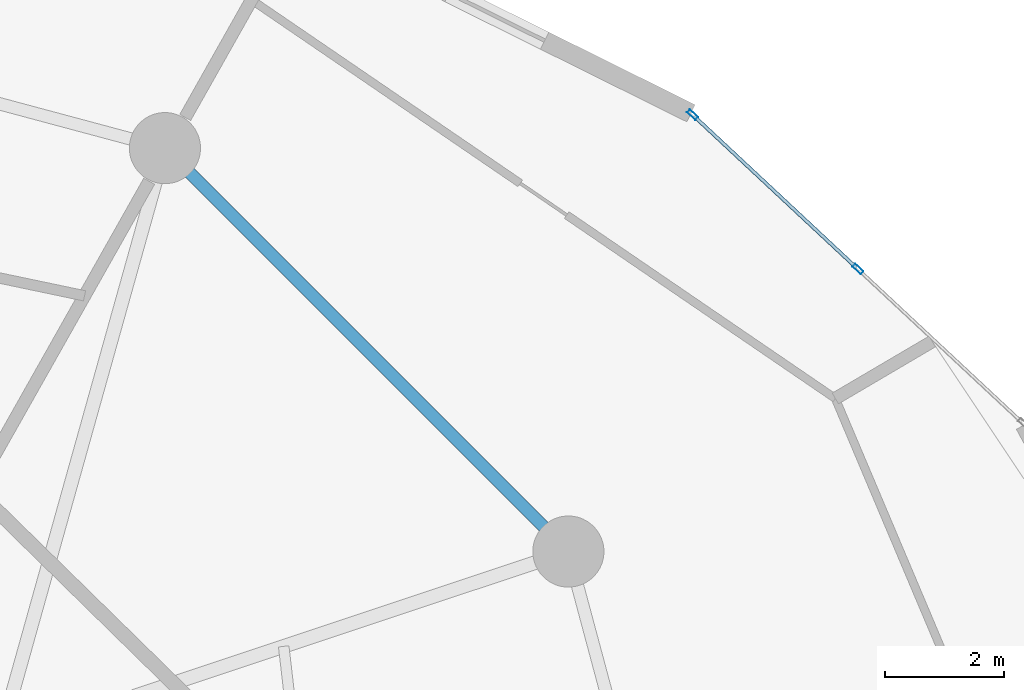
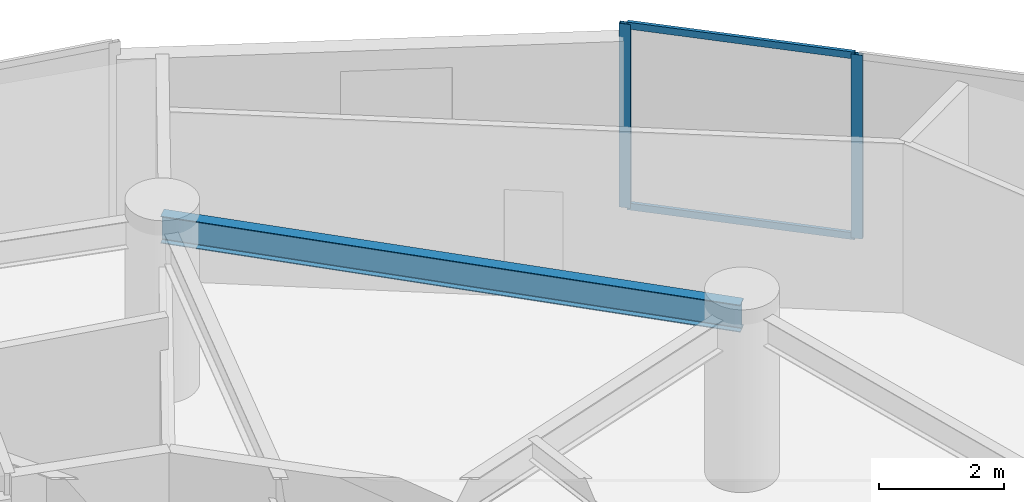
# One storey, part 16 of 26: 4 members, 1 beam, 1 element without a shape of its own.
"""IFC4 building model written with IfcOpenShell, lengths in metres."""

import ifcopenshell
import ifcopenshell.guid

model = None  # the IFC model being written
_history = None  # IfcOwnerHistory: only IFC2X3 demands one
_inside = {}  # id of a spatial element -> (the spatial element, [elements in it])
_under = {}  # id of a project, library or spatial element -> (it, [spatial elements below it])
_declared = {}  # id of a project -> (the project, [libraries it declares])
_typed = {}  # id of a type object -> (the type object, [elements of that type])
_made_of = {}  # id of a material, layer set ... -> (it, [elements and type objects made of it])


def new_model(schema):
    """Start an empty IFC model of exactly this schema.

    Asked for "IFC4X3", IfcOpenShell would pick the latest addendum, in which some entities
    have other attributes; the version numbers below select the first issue.
    IFC2X3 requires an IfcOwnerHistory on every rooted entity: one is made here for all.
    """
    global model, _history
    if schema == "IFC4X3":
        model = ifcopenshell.file(schema_version=(4, 3, 0, 0))
    else:
        model = ifcopenshell.file(schema=schema)
    _inside.clear()
    _under.clear()
    _declared.clear()
    _typed.clear()
    _made_of.clear()
    _history = None
    if model.schema == "IFC2X3":
        org = make("IfcOrganization", Name="unknown")
        user = make(
            "IfcPersonAndOrganization",
            ThePerson=make("IfcPerson", FamilyName="unknown"),
            TheOrganization=org,
        )
        app = make(
            "IfcApplication",
            ApplicationDeveloper=org,
            Version="unknown",
            ApplicationFullName="unknown",
            ApplicationIdentifier="unknown",
        )
        _history = make(
            "IfcOwnerHistory",
            OwningUser=user,
            OwningApplication=app,
            ChangeAction="ADDED",
            CreationDate=0,
        )
    return model


def make(cls, **values):
    """One entity of the class cls with the attributes given. An attribute that is None is left unset."""
    return model.create_entity(
        cls, **{name: value for name, value in values.items() if value is not None}
    )


def rooted(cls, **values):
    """An entity with a GlobalId (a new one), such as an element, a storey or a relation."""
    return make(cls, GlobalId=ifcopenshell.guid.new(), OwnerHistory=_history, **values)


def si_unit(unit_type, name, prefix=None):
    """IfcSIUnit, for example si_unit("LENGTHUNIT", "METRE", prefix="MILLI")."""
    return make("IfcSIUnit", UnitType=unit_type, Prefix=prefix, Name=name)


def assignment(units):
    """IfcUnitAssignment: the units of a project."""
    return None if units is None else make("IfcUnitAssignment", Units=units)


def point(xyz):
    """IfcCartesianPoint."""
    return None if xyz is None else make("IfcCartesianPoint", Coordinates=xyz)


def direction(xyz):
    """IfcDirection."""
    return None if xyz is None else make("IfcDirection", DirectionRatios=xyz)


def frame(location, z_axis=None, x_axis=None):
    """IfcAxis2Placement3D, a coordinate frame: its origin and axes. An axis left out is left unset."""
    return make(
        "IfcAxis2Placement3D",
        Location=point(location),
        Axis=direction(z_axis),
        RefDirection=direction(x_axis),
    )


def frame_2d(location, x_axis=None):
    """IfcAxis2Placement2D, a coordinate frame in the plane: its origin and x axis."""
    return make(
        "IfcAxis2Placement2D", Location=point(location), RefDirection=direction(x_axis)
    )


def origin():
    """The frame at (0, 0, 0) with its axes left unset."""
    return frame((0.0, 0.0, 0.0))


def origin_2d():
    """The frame at (0, 0) in the plane with its x axis left unset."""
    return frame_2d((0.0, 0.0))


def place(relative_to, where):
    """IfcLocalPlacement: puts the frame where relative to a parent placement (None: the world)."""
    return make(
        "IfcLocalPlacement", PlacementRelTo=relative_to, RelativePlacement=where
    )


def context(
    kind, dimensions, precision=None, world=None, true_north=None, identifier=None
):
    """IfcGeometricRepresentationContext, for example the 3D "Model" context."""
    return make(
        "IfcGeometricRepresentationContext",
        ContextIdentifier=identifier,
        ContextType=kind,
        CoordinateSpaceDimension=dimensions,
        Precision=precision,
        WorldCoordinateSystem=world,
        TrueNorth=true_north,
    )


def subcontext(parent, identifier, kind, view, scale=None):
    """IfcGeometricRepresentationSubContext, for example "Body" below "Model"."""
    return make(
        "IfcGeometricRepresentationSubContext",
        ContextIdentifier=identifier,
        ContextType=kind,
        ParentContext=parent,
        TargetScale=scale,
        TargetView=view,
    )


def project(units=None, contexts=None):
    """IfcProject with its units and contexts."""
    return rooted(
        "IfcProject",
        Name="project",
        RepresentationContexts=contexts,
        UnitsInContext=assignment(units),
    )


def spatial(cls, under=None, at=None, **own):
    """A site, building, storey or space (cls), placed at a placement, below another one or the project."""
    s = rooted(cls, ObjectPlacement=at, **own)
    if under is not None:
        _under.setdefault(under.id(), (under, []))[1].append(s)
    return s


def profile(cls, at=None, kind="AREA", **sizes):
    """A parametric profile (cls). Its sizes go by their IFC names, for example OverallWidth=200.0."""
    return make(cls, ProfileType=kind, Position=at, **sizes)


def hollow_rectangle(**sizes):
    """IfcRectangleHollowProfileDef."""
    return profile("IfcRectangleHollowProfileDef", **sizes)


def i_section(**sizes):
    """IfcIShapeProfileDef."""
    return profile("IfcIShapeProfileDef", **sizes)


def extrude(swept, where, along, depth):
    """IfcExtrudedAreaSolid: the profile swept, set in the frame where, extruded along a direction by depth."""
    return make(
        "IfcExtrudedAreaSolid",
        SweptArea=swept,
        Position=where,
        ExtrudedDirection=direction(along),
        Depth=depth,
    )


def shape(context_of_items, identifier, shape_type, items):
    """IfcShapeRepresentation: the items that make up one representation, for example the "Body"."""
    return make(
        "IfcShapeRepresentation",
        ContextOfItems=context_of_items,
        RepresentationIdentifier=identifier,
        RepresentationType=shape_type,
        Items=items,
    )


def source(mapping_origin, context_of_items, identifier, shape_type, items):
    """IfcRepresentationMap: a shape defined once, which mapped items show again and again."""
    return make(
        "IfcRepresentationMap",
        MappingOrigin=mapping_origin,
        MappedRepresentation=shape(context_of_items, identifier, shape_type, items),
    )


def transform(
    local_origin,
    x_axis=None,
    y_axis=None,
    z_axis=None,
    scale=None,
    scale2=None,
    scale3=None,
    uniform=True,
):
    """IfcCartesianTransformationOperator3D, or its non-uniform kind. x_axis, y_axis, z_axis: its Axis1, 2, 3."""
    if uniform:
        return make(
            "IfcCartesianTransformationOperator3D",
            Axis1=direction(x_axis),
            Axis2=direction(y_axis),
            LocalOrigin=point(local_origin),
            Scale=scale,
            Axis3=direction(z_axis),
        )
    return make(
        "IfcCartesianTransformationOperator3DnonUniform",
        Axis1=direction(x_axis),
        Axis2=direction(y_axis),
        LocalOrigin=point(local_origin),
        Scale=scale,
        Axis3=direction(z_axis),
        Scale2=scale2,
        Scale3=scale3,
    )


def mapped(mapping_source, mapping_target):
    """IfcMappedItem: shows the shape of a source again, moved by a transform."""
    return make(
        "IfcMappedItem", MappingSource=mapping_source, MappingTarget=mapping_target
    )


def material(Name=None, Category=None):
    """IfcMaterial."""
    return make("IfcMaterial", Name=Name, Category=Category)


def layer(
    of_material, thickness, ventilated=None, Name=None, Category=None, Priority=None
):
    """IfcMaterialLayer: one layer of a wall or slab, of a material (None: an air gap)."""
    return make(
        "IfcMaterialLayer",
        Material=of_material,
        LayerThickness=thickness,
        IsVentilated=ventilated,
        Name=Name,
        Category=Category,
        Priority=Priority,
    )


def layer_set(layers, Name=None):
    """IfcMaterialLayerSet."""
    return make("IfcMaterialLayerSet", MaterialLayers=layers, LayerSetName=Name)


def material_profile(
    of_material, cross_section, Name=None, Category=None, Priority=None
):
    """IfcMaterialProfile: a cross section and its material."""
    return make(
        "IfcMaterialProfile",
        Name=Name,
        Material=of_material,
        Profile=cross_section,
        Priority=Priority,
        Category=Category,
    )


def profile_set(profiles, Name=None, composite=None):
    """IfcMaterialProfileSet."""
    return make(
        "IfcMaterialProfileSet",
        Name=Name,
        MaterialProfiles=profiles,
        CompositeProfile=composite,
    )


def made_of(thing, what):
    """Note that an element or type object is made of a material, layer set ...; save() writes the relation."""
    if what is not None:
        _made_of.setdefault(what.id(), (what, []))[1].append(thing)
    return thing


def type_object(cls, material=None, **own):
    """A type object (cls), such as IfcWallType, which elements share."""
    return made_of(rooted(cls, **own), material)


def element(
    cls,
    number,
    at=None,
    inside=None,
    cuts=None,
    type_object=None,
    material=None,
    context=None,
    identifier="Body",
    shape_type=None,
    held_by="IfcProductDefinitionShape",
    body=None,
    shapes=None,
    **own,
):
    """One element of the class cls, such as IfcWall. Its Tag is "e" and its number.

    at: its placement. inside: the storey or other place that contains it. cuts: it is an
    opening in that element (IfcRelVoidsElement). A single representation is given by context,
    identifier, shape_type and body (its items); several are given by shapes. held_by: the class
    of the entity that holds the representations. save() writes the other relations.
    """
    e = rooted(cls, Tag="e%d" % number, ObjectPlacement=at, **own)
    if body is not None:
        shapes = [shape(context, identifier, shape_type, body)]
    if shapes is not None:
        e.Representation = make(held_by, Representations=shapes)
    if inside is not None:
        _inside.setdefault(inside.id(), (inside, []))[1].append(e)
    if cuts is not None:
        rooted(
            "IfcRelVoidsElement", RelatingBuildingElement=cuts, RelatedOpeningElement=e
        )
    if type_object is not None:
        _typed.setdefault(type_object.id(), (type_object, []))[1].append(e)
    return made_of(e, material)


def aggregate(whole, parts):
    """IfcRelAggregates: a whole, such as a stair, and the parts it consists of."""
    return rooted("IfcRelAggregates", RelatingObject=whole, RelatedObjects=parts)


def save(model, path):
    """Write the relations noted so far, then the file.

    IfcRelAggregates (storeys below a building ...), IfcRelContainedInSpatialStructure (elements
    in a storey), IfcRelDefinesByType, IfcRelAssociatesMaterial and IfcRelDeclares: one each for
    every whole, place, type object, material and project.
    """
    for whole, parts in _under.values():
        aggregate(whole, parts)
    for where, things in _inside.values():
        rooted(
            "IfcRelContainedInSpatialStructure",
            RelatedElements=things,
            RelatingStructure=where,
        )
    for kind, things in _typed.values():
        rooted("IfcRelDefinesByType", RelatedObjects=things, RelatingType=kind)
    for what, things in _made_of.values():
        rooted("IfcRelAssociatesMaterial", RelatedObjects=things, RelatingMaterial=what)
    for by, libraries in _declared.values():
        rooted("IfcRelDeclares", RelatingContext=by, RelatedDefinitions=libraries)
    model.write(path)


model = new_model("IFC4")

# Units and contexts
model_context = context("Model", 3, precision=1e-05, world=origin(), true_north=direction((0.0, 1.0)))
body_context = subcontext(model_context, "Body", "Model", "MODEL_VIEW")
ifc_project = project(units=[si_unit("LENGTHUNIT", "METRE"), si_unit("AREAUNIT", "SQUARE_METRE"), si_unit("VOLUMEUNIT", "CUBIC_METRE"), si_unit("PLANEANGLEUNIT", "RADIAN"), si_unit("MASSUNIT", "GRAM", prefix="KILO")], contexts=[model_context])

# Site, building, storey
site_placement = place(None, origin())
site = spatial("IfcSite", under=ifc_project, at=site_placement, CompositionType="ELEMENT")
building_placement = place(site_placement, origin())
building = spatial("IfcBuilding", under=site, at=building_placement, Name="Solvirekh Grand Hotel", CompositionType="ELEMENT")
storey_placement = place(building_placement, frame((0.0, 0.0, 32.0)))
storey = spatial("IfcBuildingStorey", under=building, at=storey_placement, Name="L06", CompositionType="ELEMENT", Elevation=32.0)

# Beam
ifc_material_1 = material(Name="Steel S355", Category="steel")
ifc_material_profile_1 = material_profile(ifc_material_1, i_section(OverallWidth=0.208984375, OverallDepth=0.532958984375, WebThickness=0.010009765625, FlangeThickness=0.014892578125, FilletRadius=0.013916015625, at=origin_2d()), Name="W530X92")
ifc_profile_set_1 = profile_set([ifc_material_profile_1], Name="Steel S355")
beam_type = type_object("IfcBeamType", Name="Spandrel_Ring_W530", PredefinedType="SPANDREL", material=ifc_profile_set_1)
beam_placement = place(storey_placement, frame((16.10791015625, 9.300048828125, 3.073974609375), z_axis=(-0.707106781187, 0.707106781187, 0.0), x_axis=(-0.707106781187, -0.707106781187, 0.0)))
element("IfcBeam", 1, at=beam_placement, inside=storey, type_object=beam_type, Name="L06 perimeter spandrel beam 2", PredefinedType="SPANDREL", context=body_context, shape_type="SweptSolid", body=[
    extrude(i_section(OverallWidth=0.208984375, OverallDepth=0.532958984375, WebThickness=0.010009765625, FlangeThickness=0.014892578125, FilletRadius=0.013916015625, at=origin_2d()), origin(), (0.0, 0.0, 1.0), 9.627685546875),
])

# Curtain wall, members
ifc_material_2 = material(Name="Anodized Bronze Aluminium 6063-T6", Category="aluminium")
ifc_layer = layer(ifc_material_2, 0.18994140625)
ifc_layer_set = layer_set([ifc_layer], Name="Anodized Bronze Aluminium 6063-T6")
curtain_wall_type = type_object("IfcCurtainWallType", Name="CW_Sys2_LowZoneFlushBronzeCW", PredefinedType="NOTDEFINED", material=ifc_layer_set)
curtain_wall_placement = place(storey_placement, origin())
curtain_wall = element("IfcCurtainWall", 2, at=curtain_wall_placement, inside=storey, type_object=curtain_wall_type, Name="L06 unitised bronze-glass curtain wall CW-L06-C03", PredefinedType="NOTDEFINED")
ifc_material_profile_2 = material_profile(ifc_material_2, hollow_rectangle(XDim=0.070068359375, YDim=0.18994140625, WallThickness=0.0048828125, at=origin_2d()), Name="ALU RHS 190X70X5")
ifc_profile_set_2 = profile_set([ifc_material_profile_2], Name="Anodized Bronze Aluminium 6063-T6")
member_type_1 = type_object("IfcMemberType", Name="CWMullion_Sys2", PredefinedType="MULLION", material=ifc_profile_set_2)
shared_shape_1 = source(origin(), body_context, "Body", "SweptSolid", [
    extrude(hollow_rectangle(XDim=0.070068359375, YDim=0.18994140625, WallThickness=0.0048828125, at=origin_2d()), origin(), (0.0, 0.0, 1.0), 3.60009765625),
])
member_1_placement = place(storey_placement, frame((20.993408203125, 14.0673828125, 0.0), z_axis=(0.0, 0.0, 1.0), x_axis=(-0.682285880223, -0.73108547903, 0.0)))
member_1 = element("IfcMember", 3, at=member_1_placement, type_object=member_type_1, Name="U02 mullion 2", PredefinedType="MULLION", context=body_context, shape_type="MappedRepresentation", body=[
    mapped(shared_shape_1, transform((0.0, 0.0, 0.0), x_axis=(1.0, 0.0, 0.0), y_axis=(0.0, 1.0, 0.0), z_axis=(0.0, 0.0, 1.0), scale=1.0)),
])
member_2_placement = place(storey_placement, frame((18.20263671875, 16.672119140625, 0.0), z_axis=(0.0, 0.0, 1.0), x_axis=(-0.682285880223, -0.73108547903, 0.0)))
member_2 = element("IfcMember", 4, at=member_2_placement, type_object=member_type_1, Name="U02 mullion 3", PredefinedType="MULLION", context=body_context, shape_type="MappedRepresentation", body=[
    mapped(shared_shape_1, transform((0.0, 0.0, 0.0), x_axis=(1.0, 0.0, 0.0), y_axis=(0.0, 1.0, 0.0), z_axis=(0.0, 0.0, 1.0), scale=1.0)),
])
ifc_material_profile_3 = material_profile(ifc_material_2, hollow_rectangle(XDim=0.06005859375, YDim=0.135009765625, WallThickness=0.00390625, at=origin_2d()), Name="ALU RHS 135X60X4")
ifc_profile_set_3 = profile_set([ifc_material_profile_3], Name="Anodized Bronze Aluminium 6063-T6")
member_type_2 = type_object("IfcMemberType", Name="CWTransom_Sys2", PredefinedType="USERDEFINED", material=ifc_profile_set_3)
shared_shape_2 = source(origin(), body_context, "Body", "SweptSolid", [
    extrude(hollow_rectangle(XDim=0.06005859375, YDim=0.135009765625, WallThickness=0.00390625, at=origin_2d()), origin(), (0.0, 0.0, 1.0), 3.74755859375),
])
member_3_placement = place(storey_placement, frame((20.968017578125, 14.09130859375, 0.030029296875), z_axis=(-0.731083431078, 0.682288074646, 0.0), x_axis=(-0.682288074646, -0.731083431078, 0.0)))
member_3 = element("IfcMember", 5, at=member_3_placement, type_object=member_type_2, Name="U02 transom 2.1", ObjectType="TRANSOM", PredefinedType="USERDEFINED", context=body_context, shape_type="MappedRepresentation", body=[
    mapped(shared_shape_2, transform((0.0, 0.0, 0.0), x_axis=(1.0, 0.0, 0.0), y_axis=(0.0, 1.0, 0.0), z_axis=(0.0, 0.0, 1.0), scale=1.0)),
])
member_4_placement = place(storey_placement, frame((20.968017578125, 14.09130859375, 3.570068359375), z_axis=(-0.731083431078, 0.682288074646, 0.0), x_axis=(-0.682288074646, -0.731083431078, 0.0)))
member_4 = element("IfcMember", 6, at=member_4_placement, type_object=member_type_2, Name="U02 transom 2.2", ObjectType="TRANSOM", PredefinedType="USERDEFINED", context=body_context, shape_type="MappedRepresentation", body=[
    mapped(shared_shape_2, transform((0.0, 0.0, 0.0), x_axis=(1.0, 0.0, 0.0), y_axis=(0.0, 1.0, 0.0), z_axis=(0.0, 0.0, 1.0), scale=1.0)),
])
aggregate(curtain_wall, [member_1, member_2, member_3, member_4])

save(model, "model.ifc")
